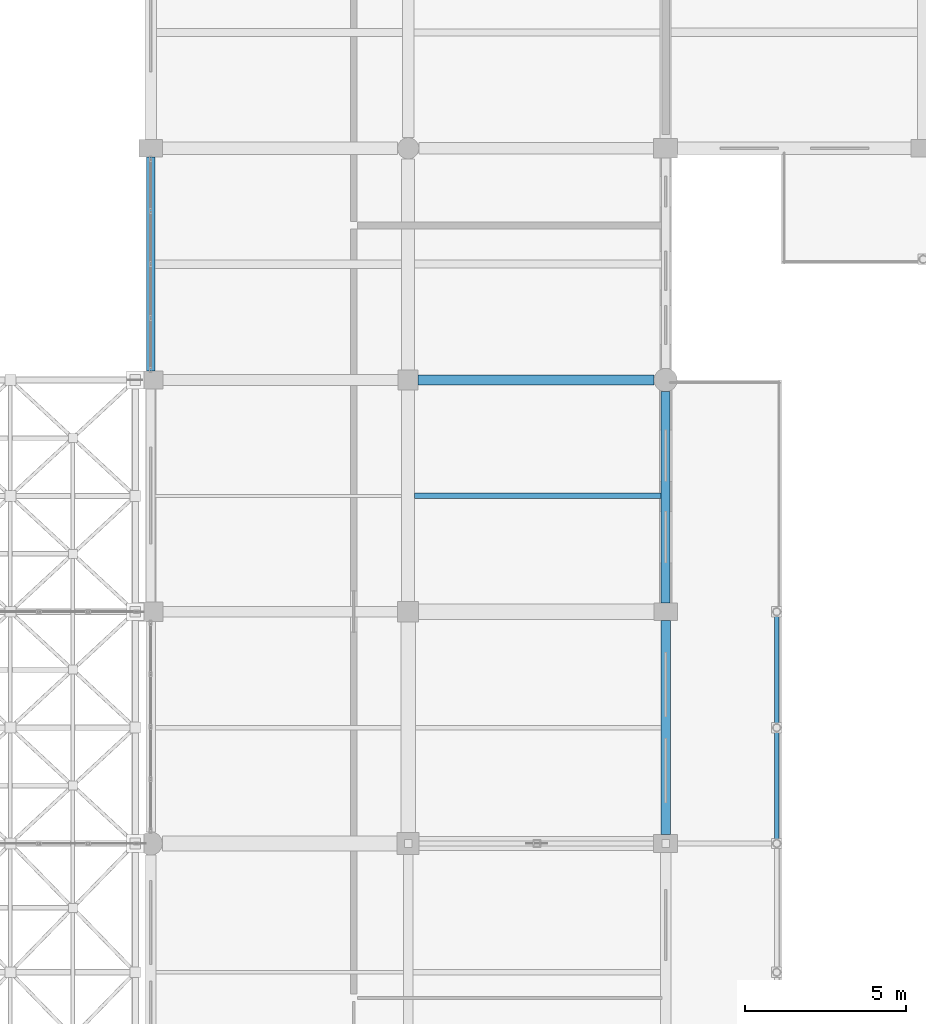
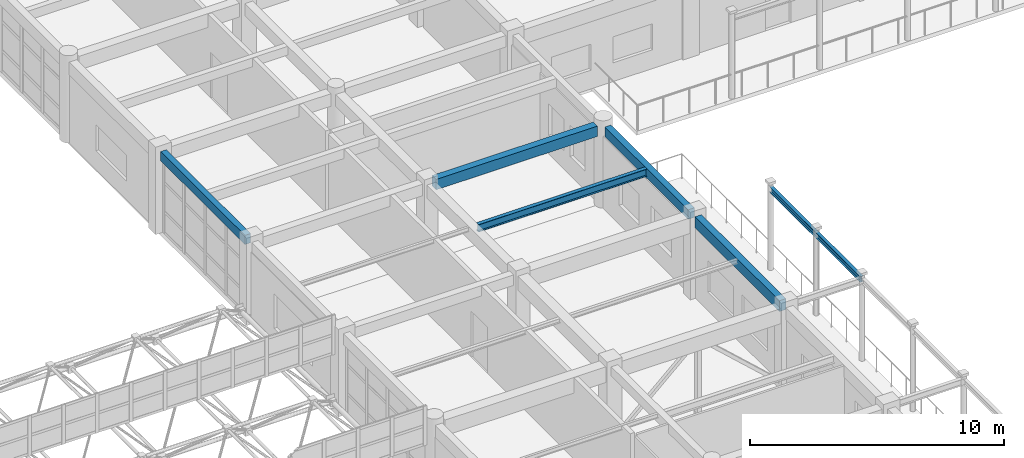
# One storey, part 107 of 195: 6 beams.
"""IFC4 building model written with IfcOpenShell, lengths in metres."""

from ifc_helpers import new_model, si_unit, direction, frame, origin, origin_2d, place, context, subcontext, project, spatial, rectangle, i_section, extrude, material, material_profile, profile_set, type_object, element, save


model = new_model("IFC4")

# Units and contexts
model_context = context("Model", 3, precision=1e-05, world=origin(), true_north=direction((0.0, 1.0)))
body_context = subcontext(model_context, "Body", "Model", "MODEL_VIEW")
ifc_project = project(units=[si_unit("LENGTHUNIT", "METRE"), si_unit("AREAUNIT", "SQUARE_METRE"), si_unit("VOLUMEUNIT", "CUBIC_METRE"), si_unit("PLANEANGLEUNIT", "RADIAN"), si_unit("MASSUNIT", "GRAM", prefix="KILO")], contexts=[model_context])

# Site, building, storey
site_placement = place(None, origin())
site = spatial("IfcSite", under=ifc_project, at=site_placement, CompositionType="ELEMENT")
building_placement = place(site_placement, origin())
building = spatial("IfcBuilding", under=site, at=building_placement, Name="Kharva Crest Polytechnic", CompositionType="ELEMENT")
storey_placement = place(building_placement, frame((0.0, 0.0, 9.0)))
storey = spatial("IfcBuildingStorey", under=building, at=storey_placement, Name="L02", CompositionType="ELEMENT", Elevation=9.0)

# Beams
ifc_material_1 = material(Name="Concrete C35/45", Category="concrete")
ifc_material_profile_1 = material_profile(ifc_material_1, rectangle(XDim=0.320068359375, YDim=0.5, at=origin_2d()), Name="RECT 320 X 500")
ifc_profile_set_1 = profile_set([ifc_material_profile_1], Name="Concrete C35/45")
beam_type_1 = type_object("IfcBeamType", Name="BM-RC-320X500", PredefinedType="BEAM", material=ifc_profile_set_1)
beam_1_placement = place(storey_placement, frame((40.31005859375, 93.199951171875, 3.669921875), z_axis=(1.0, 0.0, 0.0), x_axis=(0.0, 1.0, 0.0)))
element("IfcBeam", 1, at=beam_1_placement, inside=storey, type_object=beam_type_1, Name="L02 Beam N/6-7", PredefinedType="BEAM", context=body_context, shape_type="SweptSolid", body=[
    extrude(rectangle(XDim=0.320068359375, YDim=0.5, at=origin_2d()), origin(), (0.0, 0.0, 1.0), 7.329833984375),
])
ifc_material_2 = material(Name="Steel S355", Category="steel")
ifc_material_profile_2 = material_profile(ifc_material_2, i_section(OverallWidth=0.14794921875, OverallDepth=0.26611328125, WebThickness=0.007568359375, FlangeThickness=0.012939453125, at=origin_2d()), Name="W250X44.8")
ifc_profile_set_2 = profile_set([ifc_material_profile_2], Name="Steel S355")
beam_type_2 = type_object("IfcBeamType", Name="BM-STL-W250X44", PredefinedType="SPANDREL", material=ifc_profile_set_2)
beam_2_placement = place(storey_placement, frame((51.449951171875, 78.820068359375, 3.85693359375), z_axis=(0.0, 1.0, 0.0), x_axis=(-1.0, 0.0, 0.0)))
element("IfcBeam", 2, at=beam_2_placement, inside=storey, type_object=beam_type_2, Name="L02 West Veranda Beam 5", PredefinedType="SPANDREL", context=body_context, shape_type="SweptSolid", body=[
    extrude(i_section(OverallWidth=0.14794921875, OverallDepth=0.26611328125, WebThickness=0.007568359375, FlangeThickness=0.012939453125, at=origin_2d()), origin(), (0.0, 0.0, 1.0), 7.159912109375),
])
ifc_material_profile_3 = material_profile(ifc_material_2, i_section(OverallWidth=0.172119140625, OverallDepth=0.35791015625, WebThickness=0.0078125, FlangeThickness=0.01318359375, at=origin_2d()), Name="W360X57.8")
ifc_profile_set_3 = profile_set([ifc_material_profile_3], Name="Steel S355")
beam_type_3 = type_object("IfcBeamType", Name="BM-STL-W360X57", PredefinedType="JOIST", material=ifc_profile_set_3)
beam_3_placement = place(storey_placement, frame((40.199951171875, 89.60009765625, 3.740966796875), z_axis=(1.0, 0.0, 0.0), x_axis=(0.0, 1.0, 0.0)))
element("IfcBeam", 3, at=beam_3_placement, inside=storey, type_object=beam_type_3, Name="L02 Floor Joist 12", PredefinedType="JOIST", context=body_context, shape_type="SweptSolid", body=[
    extrude(i_section(OverallWidth=0.172119140625, OverallDepth=0.35791015625, WebThickness=0.0078125, FlangeThickness=0.01318359375, at=origin_2d()), origin(), (0.0, 0.0, 1.0), 7.66015625),
])
ifc_material_profile_4 = material_profile(ifc_material_1, rectangle(XDim=0.260009765625, YDim=0.43994140625, at=origin_2d()), Name="RECT 260 X 440")
ifc_profile_set_4 = profile_set([ifc_material_profile_4], Name="Concrete C35/45")
beam_type_4 = type_object("IfcBeamType", Name="SP-RC-260X440", PredefinedType="SPANDREL", material=ifc_profile_set_4)
beam_4_placement = place(storey_placement, frame((32.0, 93.47509765625, 3.699951171875), z_axis=(0.0, 1.0, 0.0), x_axis=(-1.0, 0.0, 0.0)))
element("IfcBeam", 4, at=beam_4_placement, inside=storey, type_object=beam_type_4, Name="L02 Girder 5/N-P", PredefinedType="SPANDREL", context=body_context, shape_type="SweptSolid", body=[
    extrude(rectangle(XDim=0.260009765625, YDim=0.43994140625, at=origin_2d()), origin(), (0.0, 0.0, 1.0), 6.64990234375),
])
ifc_material_profile_5 = material_profile(ifc_material_1, rectangle(XDim=0.280029296875, YDim=0.4599609375, at=origin_2d()), Name="RECT 280 X 460")
ifc_profile_set_5 = profile_set([ifc_material_profile_5], Name="Concrete C35/45")
beam_type_5 = type_object("IfcBeamType", Name="SP-RC-280X460", PredefinedType="SPANDREL", material=ifc_profile_set_5)
beam_5_placement = place(storey_placement, frame((48.0, 86.27490234375, 3.68994140625), z_axis=(0.0, 1.0, 0.0), x_axis=(-1.0, 0.0, 0.0)))
element("IfcBeam", 5, at=beam_5_placement, inside=storey, type_object=beam_type_5, Name="L02 Girder 7/M-N", PredefinedType="SPANDREL", context=body_context, shape_type="SweptSolid", body=[
    extrude(rectangle(XDim=0.280029296875, YDim=0.4599609375, at=origin_2d()), origin(), (0.0, 0.0, 1.0), 6.565185546875),
])
ifc_material_profile_6 = material_profile(ifc_material_1, rectangle(XDim=0.300048828125, YDim=0.52001953125, at=origin_2d()), Name="RECT 300 X 520")
ifc_profile_set_6 = profile_set([ifc_material_profile_6], Name="Concrete C35/45")
beam_type_6 = type_object("IfcBeamType", Name="SP-RC-300X520", PredefinedType="SPANDREL", material=ifc_profile_set_6)
beam_6_placement = place(storey_placement, frame((48.0, 79.074951171875, 3.659912109375), z_axis=(0.0, 1.0, 0.0), x_axis=(-1.0, 0.0, 0.0)))
element("IfcBeam", 6, at=beam_6_placement, inside=storey, type_object=beam_type_6, Name="L02 Girder 7/L-M", PredefinedType="SPANDREL", context=body_context, shape_type="SweptSolid", body=[
    extrude(rectangle(XDim=0.300048828125, YDim=0.52001953125, at=origin_2d()), origin(), (0.0, 0.0, 1.0), 6.650146484375),
])

save(model, "model.ifc")
